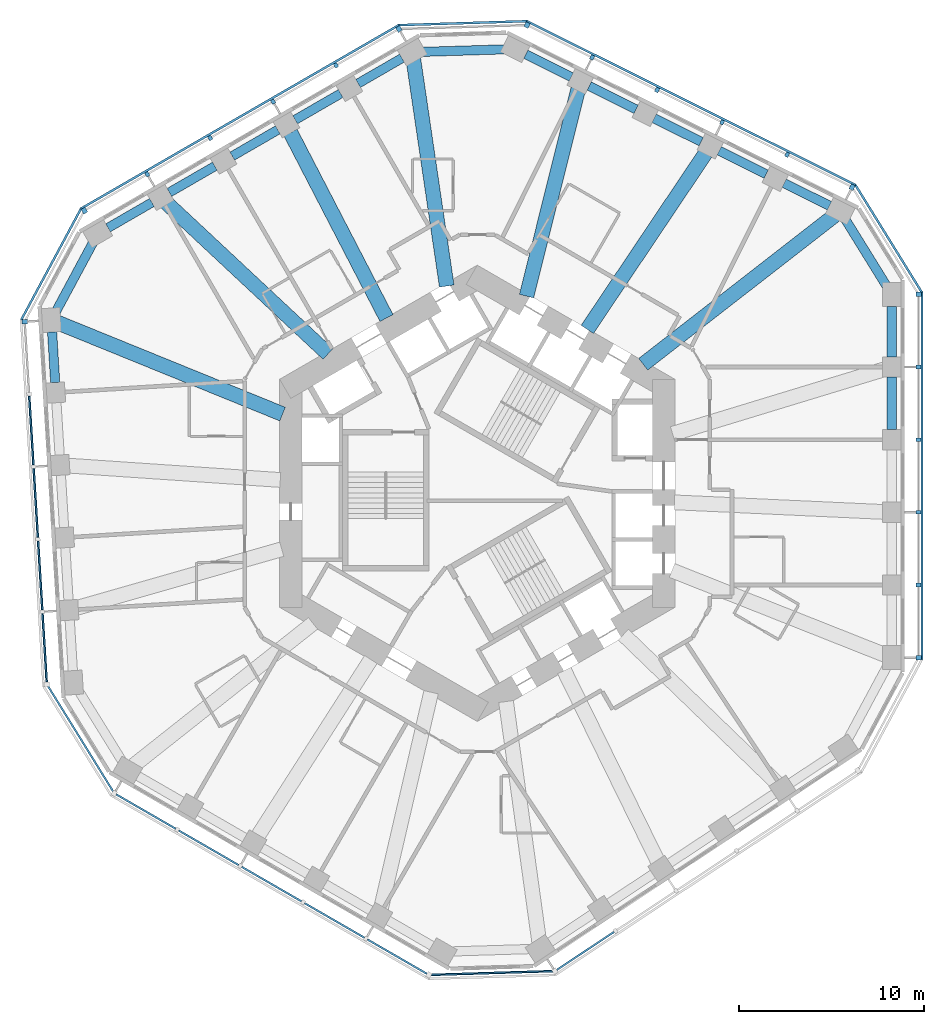
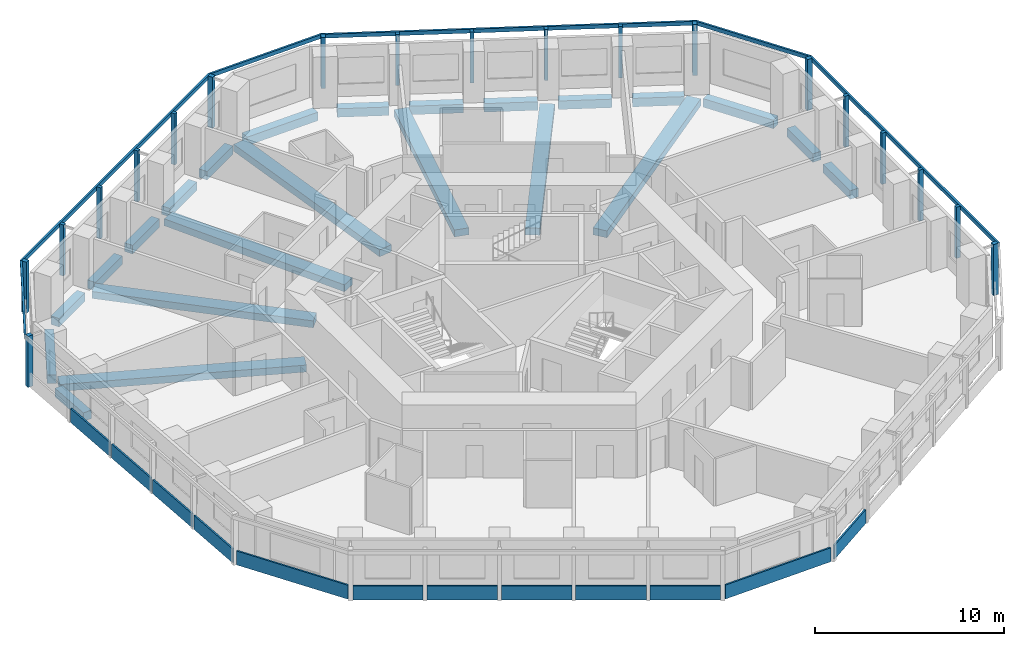
# One storey, part 2 of 11: 25 members, 23 beams, 12 plates, 11 elements without a shape of their own.
"""IFC4 building model written with IfcOpenShell, lengths in metres."""

from ifc_helpers import new_model, si_unit, direction, frame, origin, origin_2d, place, context, subcontext, project, spatial, rectangle, extrude, material, layer, layer_set, material_profile, profile_set, type_object, element, aggregate, save


model = new_model("IFC4")

# Units and contexts
model_context = context("Model", 3, precision=1e-05, world=origin(), true_north=direction((0.0, 1.0)))
body_context = subcontext(model_context, "Body", "Model", "MODEL_VIEW")
ifc_project = project(units=[si_unit("LENGTHUNIT", "METRE"), si_unit("AREAUNIT", "SQUARE_METRE"), si_unit("VOLUMEUNIT", "CUBIC_METRE"), si_unit("PLANEANGLEUNIT", "RADIAN"), si_unit("MASSUNIT", "GRAM", prefix="KILO")], contexts=[model_context])

# Site, building, storey
site_placement = place(None, origin())
site = spatial("IfcSite", under=ifc_project, at=site_placement, CompositionType="ELEMENT")
building_placement = place(site_placement, origin())
building = spatial("IfcBuilding", under=site, at=building_placement, Name="Vanh Sen Convention Tower", CompositionType="ELEMENT")
storey_placement = place(building_placement, frame((0.0, 0.0, 96.800048828125)))
storey = spatial("IfcBuildingStorey", under=building, at=storey_placement, Name="L22", CompositionType="ELEMENT", Elevation=96.800048828125)

# Curtain wall, members
ifc_material_1 = material(Name="Concrete C50/60", Category="concrete")
curtain_wall_type = type_object("IfcCurtainWallType", Name="Outer skin hotel zone", PredefinedType="NOTDEFINED", material=ifc_material_1)
curtain_wall_1_placement = place(storey_placement, origin())
curtain_wall_1 = element("IfcCurtainWall", 1, at=curtain_wall_1_placement, inside=storey, type_object=curtain_wall_type, Name="OUTER SKIN E L22", PredefinedType="NOTDEFINED")
ifc_material_profile_1 = material_profile(ifc_material_1, rectangle(XDim=0.25, YDim=0.300048828125, at=origin_2d()), Name="Outer skin precast corner fin 250 x 300")
ifc_profile_set_1 = profile_set([ifc_material_profile_1], Name="Concrete C50/60")
member_type_1 = type_object("IfcMemberType", Name="Outer skin precast corner fin 250 x 300", PredefinedType="MULLION", material=ifc_profile_set_1)
member_1_placement = place(storey_placement, frame((23.89990234375, -8.899169921875, 0.0), z_axis=(0.0, 0.0, 1.0), x_axis=(0.0, 1.0, 0.0)))
member_1 = element("IfcMember", 2, at=member_1_placement, type_object=member_type_1, Name="OUTER SKIN CORNER FIN 1 E L22", PredefinedType="MULLION", context=body_context, shape_type="SweptSolid", body=[
    extrude(rectangle(XDim=0.25, YDim=0.300048828125, at=origin_2d()), origin(), (0.0, 0.0, 1.0), 3.300048828125),
])
member_2_placement = place(storey_placement, frame((23.89990234375, 10.773681640625, 0.0), z_axis=(0.0, 0.0, 1.0), x_axis=(0.0, 1.0, 0.0)))
member_2 = element("IfcMember", 3, at=member_2_placement, type_object=member_type_1, Name="OUTER SKIN CORNER FIN 6 E L22", PredefinedType="MULLION", context=body_context, shape_type="SweptSolid", body=[
    extrude(rectangle(XDim=0.25, YDim=0.300048828125, at=origin_2d()), origin(), (0.0, 0.0, 1.0), 3.300048828125),
])

curtain_wall_2_placement = place(storey_placement, origin())
curtain_wall_2 = element("IfcCurtainWall", 4, at=curtain_wall_2_placement, inside=storey, type_object=curtain_wall_type, Name="OUTER SKIN NE L22", PredefinedType="NOTDEFINED")
member_3_placement = place(storey_placement, frame((20.305908203125, 16.581787109375, 0.0), z_axis=(0.0, 0.0, 1.0), x_axis=(-0.894934361602, 0.44619781311, 0.0)))
member_3 = element("IfcMember", 5, at=member_3_placement, type_object=member_type_1, Name="OUTER SKIN CORNER FIN 1 NE L22", PredefinedType="MULLION", context=body_context, shape_type="SweptSolid", body=[
    extrude(rectangle(XDim=0.25, YDim=0.300048828125, at=origin_2d()), origin(), (0.0, 0.0, 1.0), 3.300048828125),
])
member_4_placement = place(storey_placement, frame((2.699951171875, 25.35986328125, 0.0), z_axis=(0.0, 0.0, 1.0), x_axis=(-0.894934361602, 0.44619781311, 0.0)))
member_4 = element("IfcMember", 6, at=member_4_placement, type_object=member_type_1, Name="OUTER SKIN CORNER FIN 6 NE L22", PredefinedType="MULLION", context=body_context, shape_type="SweptSolid", body=[
    extrude(rectangle(XDim=0.25, YDim=0.300048828125, at=origin_2d()), origin(), (0.0, 0.0, 1.0), 3.300048828125),
])

curtain_wall_3_placement = place(storey_placement, origin())
curtain_wall_3 = element("IfcCurtainWall", 7, at=curtain_wall_3_placement, inside=storey, type_object=curtain_wall_type, Name="OUTER SKIN NW L22", PredefinedType="NOTDEFINED")
member_5_placement = place(storey_placement, frame((-4.242919921875, 25.147705078125, 0.0), z_axis=(0.0, 0.0, 1.0), x_axis=(-0.866025403784, -0.5, 0.0)))
member_5 = element("IfcMember", 8, at=member_5_placement, type_object=member_type_1, Name="OUTER SKIN CORNER FIN 1 NW L22", PredefinedType="MULLION", context=body_context, shape_type="SweptSolid", body=[
    extrude(rectangle(XDim=0.25, YDim=0.300048828125, at=origin_2d()), origin(), (0.0, 0.0, 1.0), 3.300048828125),
])
member_6_placement = place(storey_placement, frame((-21.2802734375, 15.31103515625, 0.0), z_axis=(0.0, 0.0, 1.0), x_axis=(-0.866025403784, -0.5, 0.0)))
member_6 = element("IfcMember", 9, at=member_6_placement, type_object=member_type_1, Name="OUTER SKIN CORNER FIN 6 NW L22", PredefinedType="MULLION", context=body_context, shape_type="SweptSolid", body=[
    extrude(rectangle(XDim=0.25, YDim=0.300048828125, at=origin_2d()), origin(), (0.0, 0.0, 1.0), 3.300048828125),
])

# Curtain wall, member
curtain_wall_4_placement = place(storey_placement, origin())
curtain_wall_4 = element("IfcCurtainWall", 10, at=curtain_wall_4_placement, inside=storey, type_object=curtain_wall_type, Name="OUTER SKIN W L22", PredefinedType="NOTDEFINED")
member_7_placement = place(storey_placement, frame((-24.51318359375, 9.294677734375, 0.0), z_axis=(0.0, 0.0, 1.0), x_axis=(0.061048539535, -0.998134798422, 0.0)))
member_7 = element("IfcMember", 11, at=member_7_placement, type_object=member_type_1, Name="OUTER SKIN CORNER FIN 1 W L22", PredefinedType="MULLION", context=body_context, shape_type="SweptSolid", body=[
    extrude(rectangle(XDim=0.25, YDim=0.300048828125, at=origin_2d()), origin(), (0.0, 0.0, 1.0), 3.300048828125),
])

# Member
ifc_material_profile_2 = material_profile(ifc_material_1, rectangle(XDim=0.199951171875, YDim=0.25, at=origin_2d()), Name="Outer skin precast fin 200 x 250")
ifc_profile_set_2 = profile_set([ifc_material_profile_2], Name="Concrete C50/60")
member_type_2 = type_object("IfcMemberType", Name="Outer skin precast fin 200 x 250", PredefinedType="MULLION", material=ifc_profile_set_2)
member_8_placement = place(storey_placement, frame((23.89990234375, -4.964599609375, 0.0), z_axis=(0.0, 0.0, 1.0), x_axis=(0.0, 1.0, 0.0)))
member_8 = element("IfcMember", 12, at=member_8_placement, type_object=member_type_2, Name="OUTER SKIN fin 2 E L22", PredefinedType="MULLION", context=body_context, shape_type="SweptSolid", body=[
    extrude(rectangle(XDim=0.199951171875, YDim=0.25, at=origin_2d()), origin(), (0.0, 0.0, 1.0), 3.300048828125),
])

member_9_placement = place(storey_placement, frame((23.89990234375, -1.030029296875, 0.0), z_axis=(0.0, 0.0, 1.0), x_axis=(0.0, 1.0, 0.0)))
member_9 = element("IfcMember", 13, at=member_9_placement, type_object=member_type_2, Name="OUTER SKIN fin 3 E L22", PredefinedType="MULLION", context=body_context, shape_type="SweptSolid", body=[
    extrude(rectangle(XDim=0.199951171875, YDim=0.25, at=origin_2d()), origin(), (0.0, 0.0, 1.0), 3.300048828125),
])

member_10_placement = place(storey_placement, frame((23.89990234375, 2.904541015625, 0.0), z_axis=(0.0, 0.0, 1.0), x_axis=(0.0, 1.0, 0.0)))
member_10 = element("IfcMember", 14, at=member_10_placement, type_object=member_type_2, Name="OUTER SKIN fin 4 E L22", PredefinedType="MULLION", context=body_context, shape_type="SweptSolid", body=[
    extrude(rectangle(XDim=0.199951171875, YDim=0.25, at=origin_2d()), origin(), (0.0, 0.0, 1.0), 3.300048828125),
])

member_11_placement = place(storey_placement, frame((23.89990234375, 6.839111328125, 0.0), z_axis=(0.0, 0.0, 1.0), x_axis=(0.0, 1.0, 0.0)))
member_11 = element("IfcMember", 15, at=member_11_placement, type_object=member_type_2, Name="OUTER SKIN fin 5 E L22", PredefinedType="MULLION", context=body_context, shape_type="SweptSolid", body=[
    extrude(rectangle(XDim=0.199951171875, YDim=0.25, at=origin_2d()), origin(), (0.0, 0.0, 1.0), 3.300048828125),
])

member_12_placement = place(storey_placement, frame((16.78466796875, 18.33740234375, 0.0), z_axis=(0.0, 0.0, 1.0), x_axis=(-0.894934361602, 0.44619781311, 0.0)))
member_12 = element("IfcMember", 16, at=member_12_placement, type_object=member_type_2, Name="OUTER SKIN fin 2 NE L22", PredefinedType="MULLION", context=body_context, shape_type="SweptSolid", body=[
    extrude(rectangle(XDim=0.199951171875, YDim=0.25, at=origin_2d()), origin(), (0.0, 0.0, 1.0), 3.300048828125),
])

member_13_placement = place(storey_placement, frame((13.263427734375, 20.093017578125, 0.0), z_axis=(0.0, 0.0, 1.0), x_axis=(-0.894934361602, 0.44619781311, 0.0)))
member_13 = element("IfcMember", 17, at=member_13_placement, type_object=member_type_2, Name="OUTER SKIN fin 3 NE L22", PredefinedType="MULLION", context=body_context, shape_type="SweptSolid", body=[
    extrude(rectangle(XDim=0.199951171875, YDim=0.25, at=origin_2d()), origin(), (0.0, 0.0, 1.0), 3.300048828125),
])

member_14_placement = place(storey_placement, frame((9.7421875, 21.8486328125, 0.0), z_axis=(0.0, 0.0, 1.0), x_axis=(-0.894934361602, 0.44619781311, 0.0)))
member_14 = element("IfcMember", 18, at=member_14_placement, type_object=member_type_2, Name="OUTER SKIN fin 4 NE L22", PredefinedType="MULLION", context=body_context, shape_type="SweptSolid", body=[
    extrude(rectangle(XDim=0.199951171875, YDim=0.25, at=origin_2d()), origin(), (0.0, 0.0, 1.0), 3.300048828125),
])

member_15_placement = place(storey_placement, frame((6.22119140625, 23.604248046875, 0.0), z_axis=(0.0, 0.0, 1.0), x_axis=(-0.894934361602, 0.44619781311, 0.0)))
member_15 = element("IfcMember", 19, at=member_15_placement, type_object=member_type_2, Name="OUTER SKIN fin 5 NE L22", PredefinedType="MULLION", context=body_context, shape_type="SweptSolid", body=[
    extrude(rectangle(XDim=0.199951171875, YDim=0.25, at=origin_2d()), origin(), (0.0, 0.0, 1.0), 3.300048828125),
])

member_16_placement = place(storey_placement, frame((-7.650390625, 23.180419921875, 0.0), z_axis=(0.0, 0.0, 1.0), x_axis=(-0.866025403784, -0.5, 0.0)))
member_16 = element("IfcMember", 20, at=member_16_placement, type_object=member_type_2, Name="OUTER SKIN fin 2 NW L22", PredefinedType="MULLION", context=body_context, shape_type="SweptSolid", body=[
    extrude(rectangle(XDim=0.199951171875, YDim=0.25, at=origin_2d()), origin(), (0.0, 0.0, 1.0), 3.300048828125),
])

member_17_placement = place(storey_placement, frame((-11.057861328125, 21.212890625, 0.0), z_axis=(0.0, 0.0, 1.0), x_axis=(-0.866025403784, -0.5, 0.0)))
member_17 = element("IfcMember", 21, at=member_17_placement, type_object=member_type_2, Name="OUTER SKIN fin 3 NW L22", PredefinedType="MULLION", context=body_context, shape_type="SweptSolid", body=[
    extrude(rectangle(XDim=0.199951171875, YDim=0.25, at=origin_2d()), origin(), (0.0, 0.0, 1.0), 3.300048828125),
])

member_18_placement = place(storey_placement, frame((-14.46533203125, 19.24560546875, 0.0), z_axis=(0.0, 0.0, 1.0), x_axis=(-0.866025403784, -0.5, 0.0)))
member_18 = element("IfcMember", 22, at=member_18_placement, type_object=member_type_2, Name="OUTER SKIN fin 4 NW L22", PredefinedType="MULLION", context=body_context, shape_type="SweptSolid", body=[
    extrude(rectangle(XDim=0.199951171875, YDim=0.25, at=origin_2d()), origin(), (0.0, 0.0, 1.0), 3.300048828125),
])

member_19_placement = place(storey_placement, frame((-17.872802734375, 17.2783203125, 0.0), z_axis=(0.0, 0.0, 1.0), x_axis=(-0.866025403784, -0.5, 0.0)))
member_19 = element("IfcMember", 23, at=member_19_placement, type_object=member_type_2, Name="OUTER SKIN fin 5 NW L22", PredefinedType="MULLION", context=body_context, shape_type="SweptSolid", body=[
    extrude(rectangle(XDim=0.199951171875, YDim=0.25, at=origin_2d()), origin(), (0.0, 0.0, 1.0), 3.300048828125),
])

ifc_material_profile_3 = material_profile(ifc_material_1, rectangle(XDim=0.1201171875, YDim=0.25, at=origin_2d()), Name="Outer skin precast spandrel band 250 x 120")
ifc_profile_set_3 = profile_set([ifc_material_profile_3], Name="Concrete C50/60")
member_type_3 = type_object("IfcMemberType", Name="Outer skin precast spandrel band 250 x 120", PredefinedType="USERDEFINED", material=ifc_profile_set_3)
member_20_placement = place(storey_placement, frame((24.0849609375, -9.024169921875, 3.175048828125), z_axis=(0.0, 1.0, 0.0), x_axis=(-1.0, 0.0, 0.0)))
member_20 = element("IfcMember", 24, at=member_20_placement, type_object=member_type_3, Name="OUTER SKIN spandrel band E L22", ObjectType="TRANSOM", PredefinedType="USERDEFINED", context=body_context, shape_type="SweptSolid", body=[
    extrude(rectangle(XDim=0.1201171875, YDim=0.25, at=origin_2d()), origin(), (0.0, 0.0, 1.0), 19.9228515625),
])

aggregate(curtain_wall_1, [member_1, member_8, member_9, member_10, member_11, member_2, member_20])

# Curtain wall, member
curtain_wall_5_placement = place(storey_placement, origin())
curtain_wall_5 = element("IfcCurtainWall", 25, at=curtain_wall_5_placement, inside=storey, type_object=curtain_wall_type, Name="OUTER SKIN CH1 L22", PredefinedType="NOTDEFINED")
member_21_placement = place(storey_placement, frame((24.07861328125, 10.88427734375, 3.175048828125), z_axis=(-0.526195864379, 0.850363400148, 0.0), x_axis=(-0.850363400148, -0.526195864379, 0.0)))
member_21 = element("IfcMember", 26, at=member_21_placement, type_object=member_type_3, Name="OUTER SKIN spandrel band CH1 L22", ObjectType="TRANSOM", PredefinedType="USERDEFINED", context=body_context, shape_type="SweptSolid", body=[
    extrude(rectangle(XDim=0.1201171875, YDim=0.25, at=origin_2d()), origin(), (0.0, 0.0, 1.0), 6.830078125),
])
aggregate(curtain_wall_5, [member_21])

# Member
member_22_placement = place(storey_placement, frame((20.500244140625, 16.69140625, 3.175048828125), z_axis=(-0.894931498167, 0.446203556227, 0.0), x_axis=(-0.446203556227, -0.894931498167, 0.0)))
member_22 = element("IfcMember", 27, at=member_22_placement, type_object=member_type_3, Name="OUTER SKIN spandrel band NE L22", ObjectType="TRANSOM", PredefinedType="USERDEFINED", context=body_context, shape_type="SweptSolid", body=[
    extrude(rectangle(XDim=0.1201171875, YDim=0.25, at=origin_2d()), origin(), (0.0, 0.0, 1.0), 19.9228515625),
])

aggregate(curtain_wall_2, [member_3, member_12, member_13, member_14, member_15, member_4, member_22])

# Curtain wall, member
curtain_wall_6_placement = place(storey_placement, origin())
curtain_wall_6 = element("IfcCurtainWall", 28, at=curtain_wall_6_placement, inside=storey, type_object=curtain_wall_type, Name="OUTER SKIN CH2 L22", PredefinedType="NOTDEFINED")
member_23_placement = place(storey_placement, frame((2.693603515625, 25.569580078125, 3.175048828125), z_axis=(-0.999533472857, -0.030542374483, 0.0), x_axis=(0.030542374483, -0.999533472857, 0.0)))
member_23 = element("IfcMember", 29, at=member_23_placement, type_object=member_type_3, Name="OUTER SKIN spandrel band CH2 L22", ObjectType="TRANSOM", PredefinedType="USERDEFINED", context=body_context, shape_type="SweptSolid", body=[
    extrude(rectangle(XDim=0.1201171875, YDim=0.25, at=origin_2d()), origin(), (0.0, 0.0, 1.0), 6.9462890625),
])
aggregate(curtain_wall_6, [member_23])

# Member
member_24_placement = place(storey_placement, frame((-4.227294921875, 25.370361328125, 3.175048828125), z_axis=(-0.866028047459, -0.499995420993, 0.0), x_axis=(0.499995420993, -0.866028047459, 0.0)))
member_24 = element("IfcMember", 30, at=member_24_placement, type_object=member_type_3, Name="OUTER SKIN spandrel band NW L22", ObjectType="TRANSOM", PredefinedType="USERDEFINED", context=body_context, shape_type="SweptSolid", body=[
    extrude(rectangle(XDim=0.1201171875, YDim=0.25, at=origin_2d()), origin(), (0.0, 0.0, 1.0), 19.923095703125),
])

aggregate(curtain_wall_3, [member_5, member_16, member_17, member_18, member_19, member_6, member_24])

# Curtain wall, member
curtain_wall_7_placement = place(storey_placement, origin())
curtain_wall_7 = element("IfcCurtainWall", 31, at=curtain_wall_7_placement, inside=storey, type_object=curtain_wall_type, Name="OUTER SKIN CH3 L22", PredefinedType="NOTDEFINED")
member_25_placement = place(storey_placement, frame((-21.46533203125, 15.410400390625, 3.175048828125), z_axis=(-0.473315186561, -0.880893145717, 0.0), x_axis=(0.880893145717, -0.473315186561, 0.0)))
member_25 = element("IfcMember", 32, at=member_25_placement, type_object=member_type_3, Name="OUTER SKIN spandrel band CH3 L22", ObjectType="TRANSOM", PredefinedType="USERDEFINED", context=body_context, shape_type="SweptSolid", body=[
    extrude(rectangle(XDim=0.1201171875, YDim=0.25, at=origin_2d()), origin(), (0.0, 0.0, 1.0), 6.829833984375),
])
aggregate(curtain_wall_7, [member_25])

# Beams
ifc_material_2 = material(Name="Concrete C50/60", Category="concrete")
ifc_material_profile_4 = material_profile(ifc_material_2, rectangle(XDim=0.800048828125, YDim=0.449951171875, at=origin_2d()), Name="RC 800X450")
ifc_profile_set_4 = profile_set([ifc_material_profile_4], Name="Concrete C50/60")
beam_type_1 = type_object("IfcBeamType", Name="Radial floor beam 800 x 450", PredefinedType="BEAM", material=ifc_profile_set_4)
beam_1_placement = place(storey_placement, frame((19.376708984375, 15.064697265625, -0.47509765625), z_axis=(-0.789479064473, -0.613777489616, 0.0), x_axis=(0.613777489616, -0.789479064473, 0.0)))
element("IfcBeam", 33, at=beam_1_placement, inside=storey, type_object=beam_type_1, Name="Radial beam 04 L22", PredefinedType="BEAM", context=body_context, shape_type="SweptSolid", body=[
    extrude(rectangle(XDim=0.800048828125, YDim=0.449951171875, at=origin_2d()), origin(), (0.0, 0.0, 1.0), 13.16015625),
])
beam_2_placement = place(storey_placement, frame((12.3671875, 18.423828125, -0.47509765625), z_axis=(-0.557338631, -0.830285282536, 0.0), x_axis=(0.830285282536, -0.557338631, 0.0)))
element("IfcBeam", 34, at=beam_2_placement, inside=storey, type_object=beam_type_1, Name="Radial beam 05 L22", PredefinedType="BEAM", context=body_context, shape_type="SweptSolid", body=[
    extrude(rectangle(XDim=0.800048828125, YDim=0.449951171875, at=origin_2d()), origin(), (0.0, 0.0, 1.0), 11.497314453125),
])
beam_3_placement = place(storey_placement, frame((5.47265625, 21.900390625, -0.47509765625), z_axis=(-0.242436270236, -0.97016733344, 0.0), x_axis=(0.97016733344, -0.242436270236, 0.0)))
element("IfcBeam", 35, at=beam_3_placement, inside=storey, type_object=beam_type_1, Name="Radial beam 06 L22", PredefinedType="BEAM", context=body_context, shape_type="SweptSolid", body=[
    extrude(rectangle(XDim=0.800048828125, YDim=0.449951171875, at=origin_2d()), origin(), (0.0, 0.0, 1.0), 11.563720703125),
])
beam_4_placement = place(storey_placement, frame((-3.46337890625, 23.521484375, -0.47509765625), z_axis=(0.145674386683, -0.989332589711, 0.0), x_axis=(0.989332589711, 0.145674386683, 0.0)))
element("IfcBeam", 36, at=beam_4_placement, inside=storey, type_object=beam_type_1, Name="Radial beam 07 L22", PredefinedType="BEAM", context=body_context, shape_type="SweptSolid", body=[
    extrude(rectangle(XDim=0.800048828125, YDim=0.449951171875, at=origin_2d()), origin(), (0.0, 0.0, 1.0), 12.4287109375),
])
beam_5_placement = place(storey_placement, frame((-10.113525390625, 19.53369140625, -0.47509765625), z_axis=(0.459777032111, -0.888034391644, 0.0), x_axis=(0.888034391644, 0.459777032111, 0.0)))
element("IfcBeam", 37, at=beam_5_placement, inside=storey, type_object=beam_type_1, Name="Radial beam 08 L22", PredefinedType="BEAM", context=body_context, shape_type="SweptSolid", body=[
    extrude(rectangle(XDim=0.800048828125, YDim=0.449951171875, at=origin_2d()), origin(), (0.0, 0.0, 1.0), 11.30859375),
])
beam_6_placement = place(storey_placement, frame((-16.858642578125, 15.75244140625, -0.47509765625), z_axis=(0.730678761729, -0.6827214272, 0.0), x_axis=(0.6827214272, 0.730678761729, 0.0)))
element("IfcBeam", 38, at=beam_6_placement, inside=storey, type_object=beam_type_1, Name="Radial beam 09 L22", PredefinedType="BEAM", context=body_context, shape_type="SweptSolid", body=[
    extrude(rectangle(XDim=0.800048828125, YDim=0.449951171875, at=origin_2d()), origin(), (0.0, 0.0, 1.0), 12.01416015625),
])
beam_7_placement = place(storey_placement, frame((-22.734619140625, 9.248291015625, -0.47509765625), z_axis=(0.926292218259, -0.376805953236, 0.0), x_axis=(0.376805953236, 0.926292218259, 0.0)))
element("IfcBeam", 39, at=beam_7_placement, inside=storey, type_object=beam_type_1, Name="Radial beam 10 L22", PredefinedType="BEAM", context=body_context, shape_type="SweptSolid", body=[
    extrude(rectangle(XDim=0.800048828125, YDim=0.449951171875, at=origin_2d()), origin(), (0.0, 0.0, 1.0), 13.159912109375),
])
ifc_material_profile_5 = material_profile(ifc_material_2, rectangle(XDim=0.5, YDim=0.550048828125, at=origin_2d()), Name="RC 500X550")
ifc_profile_set_5 = profile_set([ifc_material_profile_5], Name="Concrete C50/60")
beam_type_2 = type_object("IfcBeamType", Name="Spandrel beam 500 x 550", PredefinedType="SPANDREL", material=ifc_profile_set_5)
beam_8_placement = place(storey_placement, frame((22.449951171875, 3.449462890625, -0.525146484375), z_axis=(0.0, 1.0, 0.0), x_axis=(-1.0, 0.0, 0.0)))
element("IfcBeam", 40, at=beam_8_placement, inside=storey, type_object=beam_type_2, Name="Spandrel beam 04 L22", PredefinedType="SPANDREL", context=body_context, shape_type="SweptSolid", body=[
    extrude(rectangle(XDim=0.5, YDim=0.550048828125, at=origin_2d()), origin(), (0.0, 0.0, 1.0), 2.8447265625),
])
beam_9_placement = place(storey_placement, frame((22.449951171875, 7.384033203125, -0.525146484375), z_axis=(0.0, 1.0, 0.0), x_axis=(-1.0, 0.0, 0.0)))
element("IfcBeam", 41, at=beam_9_placement, inside=storey, type_object=beam_type_2, Name="Spandrel beam 05 L22", PredefinedType="SPANDREL", context=body_context, shape_type="SweptSolid", body=[
    extrude(rectangle(XDim=0.5, YDim=0.550048828125, at=origin_2d()), origin(), (0.0, 0.0, 1.0), 2.74462890625),
])
beam_10_placement = place(storey_placement, frame((22.165283203125, 11.23388671875, -0.525146484375), z_axis=(-0.526225208879, 0.850345241381, 0.0), x_axis=(-0.850345241381, -0.526225208879, 0.0)))
element("IfcBeam", 42, at=beam_10_placement, inside=storey, type_object=beam_type_2, Name="Spandrel beam 06 L22", PredefinedType="SPANDREL", context=body_context, shape_type="SweptSolid", body=[
    extrude(rectangle(XDim=0.5, YDim=0.550048828125, at=origin_2d()), origin(), (0.0, 0.0, 1.0), 4.221923828125),
])
beam_11_placement = place(storey_placement, frame((19.081787109375, 15.572021484375, -0.525146484375), z_axis=(-0.894978032936, 0.446110211229, 0.0), x_axis=(-0.446110211229, -0.894978032936, 0.0)))
element("IfcBeam", 43, at=beam_11_placement, inside=storey, type_object=beam_type_2, Name="Spandrel beam 07 L22", PredefinedType="SPANDREL", context=body_context, shape_type="SweptSolid", body=[
    extrude(rectangle(XDim=0.5, YDim=0.550048828125, at=origin_2d()), origin(), (0.0, 0.0, 1.0), 2.74462890625),
])
beam_12_placement = place(storey_placement, frame((15.64990234375, 17.282958984375, -0.525146484375), z_axis=(-0.894958709308, 0.44614897583, 0.0), x_axis=(-0.44614897583, -0.894958709308, 0.0)))
element("IfcBeam", 44, at=beam_12_placement, inside=storey, type_object=beam_type_2, Name="Spandrel beam 08 L22", PredefinedType="SPANDREL", context=body_context, shape_type="SweptSolid", body=[
    extrude(rectangle(XDim=0.5, YDim=0.550048828125, at=origin_2d()), origin(), (0.0, 0.0, 1.0), 2.844482421875),
])
for number, where, z_axis, x_axis, name in (
    (45, (12.12890625, 19.03857421875, -0.525146484375), (-0.894975791885, 0.446114707155, 0.0), (-0.446114707155, -0.894975791885, 0.0), "Spandrel beam 09 L22"),
    (46, (8.607666015625, 20.794189453125, -0.525146484375), (-0.894975791885, 0.446114707155, 0.0), (-0.446114707155, -0.894975791885, 0.0), "Spandrel beam 10 L22"),
):
    element("IfcBeam", number, at=place(storey_placement, frame(where, z_axis=z_axis, x_axis=x_axis)), inside=storey, type_object=beam_type_2, Name=name, PredefinedType="SPANDREL", context=body_context, shape_type="SweptSolid", body=[
        extrude(rectangle(XDim=0.5, YDim=0.550048828125, at=origin_2d()), origin(), (0.0, 0.0, 1.0), 2.8447265625),
    ])
beam_13_placement = place(storey_placement, frame((5.08642578125, 22.5498046875, -0.525146484375), z_axis=(-0.894942515368, 0.44618145881, 0.0), x_axis=(-0.44618145881, -0.894942515368, 0.0)))
element("IfcBeam", 47, at=beam_13_placement, inside=storey, type_object=beam_type_2, Name="Spandrel beam 11 L22", PredefinedType="SPANDREL", context=body_context, shape_type="SweptSolid", body=[
    extrude(rectangle(XDim=0.5, YDim=0.550048828125, at=origin_2d()), origin(), (0.0, 0.0, 1.0), 2.74462890625),
])
beam_14_placement = place(storey_placement, frame((1.467041015625, 24.044189453125, -0.525146484375), z_axis=(-0.999534488219, -0.030509127505, 0.0), x_axis=(0.030509127505, -0.999534488219, 0.0)))
element("IfcBeam", 48, at=beam_14_placement, inside=storey, type_object=beam_type_2, Name="Spandrel beam 12 L22", PredefinedType="SPANDREL", context=body_context, shape_type="SweptSolid", body=[
    extrude(rectangle(XDim=0.5, YDim=0.550048828125, at=origin_2d()), origin(), (0.0, 0.0, 1.0), 4.401123046875),
])
beam_15_placement = place(storey_placement, frame((-4.07666015625, 23.5693359375, -0.525146484375), z_axis=(-0.866028570666, -0.499994514761, 0.0), x_axis=(0.499994514761, -0.866028570666, 0.0)))
element("IfcBeam", 49, at=beam_15_placement, inside=storey, type_object=beam_type_2, Name="Spandrel beam 13 L22", PredefinedType="SPANDREL", context=body_context, shape_type="SweptSolid", body=[
    extrude(rectangle(XDim=0.5, YDim=0.550048828125, at=origin_2d()), origin(), (0.0, 0.0, 1.0), 2.74462890625),
])
for number, where, z_axis, x_axis, name in (
    (50, (-7.3974609375, 21.652099609375, -0.525146484375), (-0.866005490874, -0.500034488586, 0.0), (0.500034488586, -0.866005490874, 0.0), "Spandrel beam 14 L22"),
    (51, (-10.804931640625, 19.684814453125, -0.525146484375), (-0.866005490874, -0.500034488586, 0.0), (0.500034488586, -0.866005490874, 0.0), "Spandrel beam 15 L22"),
    (52, (-14.21240234375, 17.717529296875, -0.525146484375), (-0.866005490874, -0.500034488586, 0.0), (0.500034488586, -0.866005490874, 0.0), "Spandrel beam 16 L22"),
):
    element("IfcBeam", number, at=place(storey_placement, frame(where, z_axis=z_axis, x_axis=x_axis)), inside=storey, type_object=beam_type_2, Name=name, PredefinedType="SPANDREL", context=body_context, shape_type="SweptSolid", body=[
        extrude(rectangle(XDim=0.5, YDim=0.550048828125, at=origin_2d()), origin(), (0.0, 0.0, 1.0), 2.844482421875),
    ])
beam_16_placement = place(storey_placement, frame((-17.619873046875, 15.750244140625, -0.525146484375), z_axis=(-0.866006330792, -0.500033033937, 0.0), x_axis=(0.500033033937, -0.866006330792, 0.0)))
element("IfcBeam", 53, at=beam_16_placement, inside=storey, type_object=beam_type_2, Name="Spandrel beam 17 L22", PredefinedType="SPANDREL", context=body_context, shape_type="SweptSolid", body=[
    extrude(rectangle(XDim=0.5, YDim=0.550048828125, at=origin_2d()), origin(), (0.0, 0.0, 1.0), 2.744384765625),
])
beam_17_placement = place(storey_placement, frame((-20.811279296875, 13.57861328125, -0.525146484375), z_axis=(-0.473344400705, -0.880877447958, 0.0), x_axis=(0.880877447958, -0.473344400705, 0.0)))
element("IfcBeam", 54, at=beam_17_placement, inside=storey, type_object=beam_type_2, Name="Spandrel beam 18 L22", PredefinedType="SPANDREL", context=body_context, shape_type="SweptSolid", body=[
    extrude(rectangle(XDim=0.5, YDim=0.550048828125, at=origin_2d()), origin(), (0.0, 0.0, 1.0), 4.2216796875),
])
beam_18_placement = place(storey_placement, frame((-23.0263671875, 8.7392578125, -0.525146484375), z_axis=(0.061021442686, -0.998136455367, 0.0), x_axis=(0.998136455367, 0.061021442686, 0.0)))
element("IfcBeam", 55, at=beam_18_placement, inside=storey, type_object=beam_type_2, Name="Spandrel beam 19 L22", PredefinedType="SPANDREL", context=body_context, shape_type="SweptSolid", body=[
    extrude(rectangle(XDim=0.5, YDim=0.550048828125, at=origin_2d()), origin(), (0.0, 0.0, 1.0), 2.74462890625),
])

# Plate
ifc_layer = layer(ifc_material_1, 0.10009765625)
ifc_layer_set = layer_set([ifc_layer], Name="Concrete C50/60")
plate_type = type_object("IfcPlateType", Name="Outer skin precast screen panel 100", PredefinedType="CURTAIN_PANEL", material=ifc_layer_set)
plate_1_placement = place(storey_placement, frame((-24.15283203125, 3.40380859375, 0.0), z_axis=(0.0, 0.0, 1.0), x_axis=(0.061048539535, -0.998134798422, 0.0)))
plate_1 = element("IfcPlate", 56, at=plate_1_placement, type_object=plate_type, Name="OUTER SKIN screen panel W-2", PredefinedType="CURTAIN_PANEL", context=body_context, shape_type="SweptSolid", body=[
    extrude(rectangle(XDim=3.734619140625, YDim=0.10009765625, at=origin_2d()), origin(), (0.0, 0.0, 1.0), 0.89990234375),
])

plate_2_placement = place(storey_placement, frame((-23.91259765625, -0.523681640625, 0.0), z_axis=(0.0, 0.0, 1.0), x_axis=(0.061046797461, -0.99813490497, 0.0)))
plate_2 = element("IfcPlate", 57, at=plate_2_placement, type_object=plate_type, Name="OUTER SKIN screen panel W-3", PredefinedType="CURTAIN_PANEL", context=body_context, shape_type="SweptSolid", body=[
    extrude(rectangle(XDim=3.734619140625, YDim=0.10009765625, at=origin_2d()), origin(), (0.0, 0.0, 1.0), 0.89990234375),
])

plate_3_placement = place(storey_placement, frame((-23.67236328125, -4.45068359375, 0.0), z_axis=(0.0, 0.0, 1.0), x_axis=(0.061048539535, -0.998134798422, 0.0)))
plate_3 = element("IfcPlate", 58, at=plate_3_placement, type_object=plate_type, Name="OUTER SKIN screen panel W-4", PredefinedType="CURTAIN_PANEL", context=body_context, shape_type="SweptSolid", body=[
    extrude(rectangle(XDim=3.734619140625, YDim=0.10009765625, at=origin_2d()), origin(), (0.0, 0.0, 1.0), 0.89990234375),
])

plate_4_placement = place(storey_placement, frame((-23.43310546875, -8.365478515625, 0.0), z_axis=(0.0, 0.0, 1.0), x_axis=(0.061046797461, -0.99813490497, 0.0)))
plate_4 = element("IfcPlate", 59, at=plate_4_placement, type_object=plate_type, Name="OUTER SKIN screen panel W-5", PredefinedType="CURTAIN_PANEL", context=body_context, shape_type="SweptSolid", body=[
    extrude(rectangle(XDim=3.709716796875, YDim=0.10009765625, at=origin_2d()), origin(), (0.0, 0.0, 1.0), 0.89990234375),
])

aggregate(curtain_wall_4, [member_7, plate_1, plate_2, plate_3, plate_4])

# Curtain wall, plate
curtain_wall_8_placement = place(storey_placement, origin())
curtain_wall_8 = element("IfcCurtainWall", 60, at=curtain_wall_8_placement, inside=storey, type_object=curtain_wall_type, Name="OUTER SKIN CH4 L22", PredefinedType="NOTDEFINED")
plate_5_placement = place(storey_placement, frame((-21.484619140625, -13.295166015625, 0.0), z_axis=(0.0, 0.0, 1.0), x_axis=(0.526205018755, -0.850357735448, 0.0)))
plate_5 = element("IfcPlate", 61, at=plate_5_placement, type_object=plate_type, Name="OUTER SKIN screen panel CH4-1", PredefinedType="CURTAIN_PANEL", context=body_context, shape_type="SweptSolid", body=[
    extrude(rectangle(XDim=6.6962890625, YDim=0.10009765625, at=origin_2d()), origin(), (0.0, 0.0, 1.0), 0.89990234375),
])
aggregate(curtain_wall_8, [plate_5])

# Curtain wall, plates
curtain_wall_9_placement = place(storey_placement, origin())
curtain_wall_9 = element("IfcCurtainWall", 62, at=curtain_wall_9_placement, inside=storey, type_object=curtain_wall_type, Name="OUTER SKIN SW L22", PredefinedType="NOTDEFINED")
plate_6_placement = place(storey_placement, frame((-17.9423828125, -17.23828125, 0.0), z_axis=(0.0, 0.0, 1.0), x_axis=(0.866028021766, -0.499995465495, 0.0)))
plate_6 = element("IfcPlate", 63, at=plate_6_placement, type_object=plate_type, Name="OUTER SKIN screen panel SW-1", PredefinedType="CURTAIN_PANEL", context=body_context, shape_type="SweptSolid", body=[
    extrude(rectangle(XDim=3.709716796875, YDim=0.10009765625, at=origin_2d()), origin(), (0.0, 0.0, 1.0), 0.89990234375),
])
plate_7_placement = place(storey_placement, frame((-14.5458984375, -19.19921875, 0.0), z_axis=(0.0, 0.0, 1.0), x_axis=(0.866032385017, -0.499987907955, 0.0)))
plate_7 = element("IfcPlate", 64, at=plate_7_placement, type_object=plate_type, Name="OUTER SKIN screen panel SW-2", PredefinedType="CURTAIN_PANEL", context=body_context, shape_type="SweptSolid", body=[
    extrude(rectangle(XDim=3.734619140625, YDim=0.10009765625, at=origin_2d()), origin(), (0.0, 0.0, 1.0), 0.89990234375),
])
plate_8_placement = place(storey_placement, frame((-11.138427734375, -21.16650390625, 0.0), z_axis=(0.0, 0.0, 1.0), x_axis=(0.866028021766, -0.499995465495, 0.0)))
plate_8 = element("IfcPlate", 65, at=plate_8_placement, type_object=plate_type, Name="OUTER SKIN screen panel SW-3", PredefinedType="CURTAIN_PANEL", context=body_context, shape_type="SweptSolid", body=[
    extrude(rectangle(XDim=3.734619140625, YDim=0.10009765625, at=origin_2d()), origin(), (0.0, 0.0, 1.0), 0.89990234375),
])
plate_9_placement = place(storey_placement, frame((-7.73095703125, -23.1337890625, 0.0), z_axis=(0.0, 0.0, 1.0), x_axis=(0.866028021766, -0.499995465495, 0.0)))
plate_9 = element("IfcPlate", 66, at=plate_9_placement, type_object=plate_type, Name="OUTER SKIN screen panel SW-4", PredefinedType="CURTAIN_PANEL", context=body_context, shape_type="SweptSolid", body=[
    extrude(rectangle(XDim=3.734619140625, YDim=0.10009765625, at=origin_2d()), origin(), (0.0, 0.0, 1.0), 0.89990234375),
])
plate_10_placement = place(storey_placement, frame((-4.334228515625, -25.094970703125, 0.0), z_axis=(0.0, 0.0, 1.0), x_axis=(0.866021040428, -0.500007557478, 0.0)))
plate_10 = element("IfcPlate", 67, at=plate_10_placement, type_object=plate_type, Name="OUTER SKIN screen panel SW-5", PredefinedType="CURTAIN_PANEL", context=body_context, shape_type="SweptSolid", body=[
    extrude(rectangle(XDim=3.70947265625, YDim=0.10009765625, at=origin_2d()), origin(), (0.0, 0.0, 1.0), 0.89990234375),
])
aggregate(curtain_wall_9, [plate_6, plate_7, plate_8, plate_9, plate_10])

# Curtain wall, plate
curtain_wall_10_placement = place(storey_placement, origin())
curtain_wall_10 = element("IfcCurtainWall", 68, at=curtain_wall_10_placement, inside=storey, type_object=curtain_wall_type, Name="OUTER SKIN CH5 L22", PredefinedType="NOTDEFINED")
plate_11_placement = place(storey_placement, frame((0.793701171875, -25.98046875, 0.0), z_axis=(0.0, 0.0, 1.0), x_axis=(0.999533484231, 0.03054200224, 0.0)))
plate_11 = element("IfcPlate", 69, at=plate_11_placement, type_object=plate_type, Name="OUTER SKIN screen panel CH5-1", PredefinedType="CURTAIN_PANEL", context=body_context, shape_type="SweptSolid", body=[
    extrude(rectangle(XDim=6.580078125, YDim=0.10009765625, at=origin_2d()), origin(), (0.0, 0.0, 1.0), 0.89990234375),
])
aggregate(curtain_wall_10, [plate_11])

curtain_wall_11_placement = place(storey_placement, origin())
curtain_wall_11 = element("IfcCurtainWall", 70, at=curtain_wall_11_placement, inside=storey, type_object=curtain_wall_type, Name="OUTER SKIN SE L22", PredefinedType="NOTDEFINED")
plate_12_placement = place(storey_placement, frame((5.858154296875, -24.783447265625, 0.0), z_axis=(0.0, 0.0, 1.0), x_axis=(0.833891601892, 0.55192825285, 0.0)))
plate_12 = element("IfcPlate", 71, at=plate_12_placement, type_object=plate_type, Name="OUTER SKIN screen panel SE-1", PredefinedType="CURTAIN_PANEL", context=body_context, shape_type="SweptSolid", body=[
    extrude(rectangle(XDim=3.709716796875, YDim=0.10009765625, at=origin_2d()), origin(), (0.0, 0.0, 1.0), 0.89990234375),
])
aggregate(curtain_wall_11, [plate_12])

save(model, "model.ifc")
